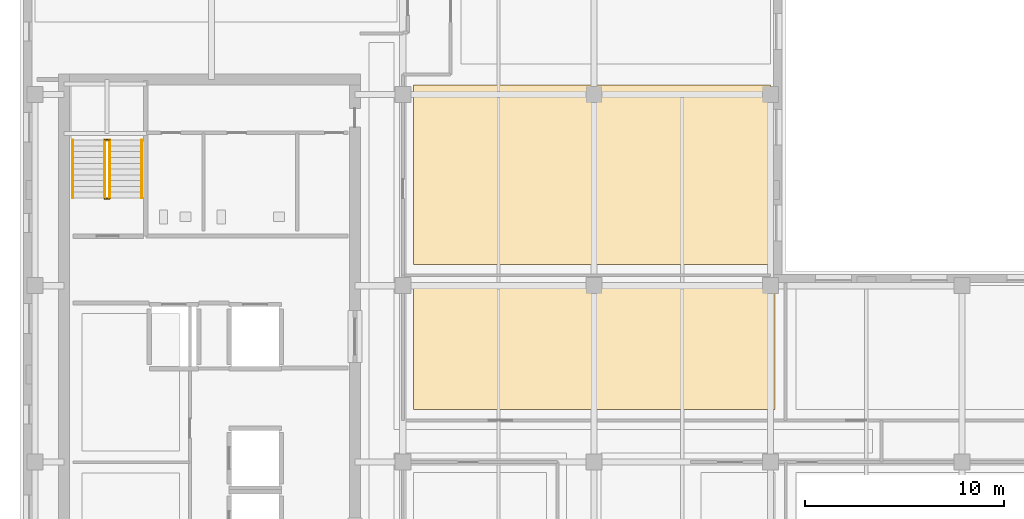
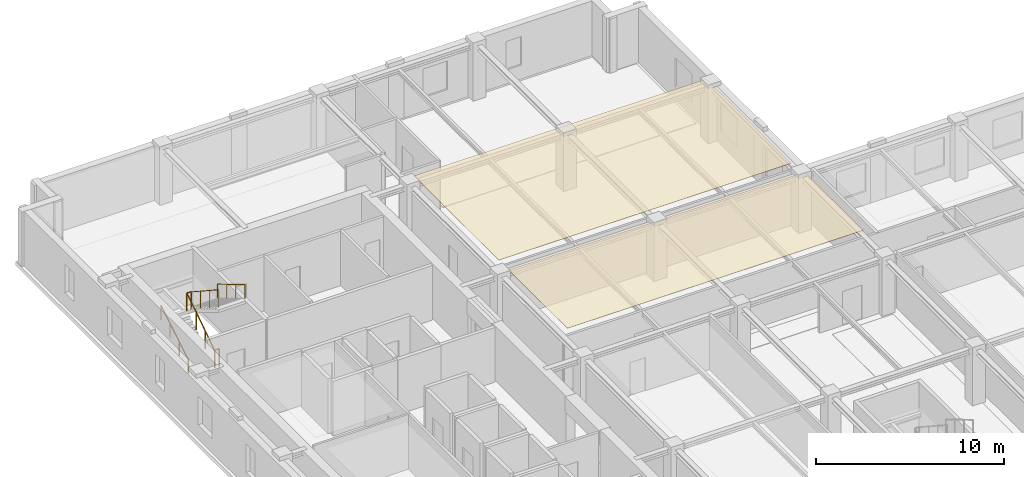
# One storey, part 10 of 12: 6 railings, 2 coverings.
"""IFC4 building model written with IfcOpenShell, lengths in metres."""

from ifc_helpers import new_model, si_unit, direction, frame, origin, origin_2d, place, context, subcontext, project, spatial, polyline, circle, outline, extrude, material, layer, layer_set, type_object, element, save


model = new_model("IFC4")

# Units and contexts
model_context = context("Model", 3, precision=1e-05, world=origin(), true_north=direction((0.0, 1.0)))
body_context = subcontext(model_context, "Body", "Model", "MODEL_VIEW")
ifc_project = project(units=[si_unit("LENGTHUNIT", "METRE"), si_unit("AREAUNIT", "SQUARE_METRE"), si_unit("VOLUMEUNIT", "CUBIC_METRE"), si_unit("PLANEANGLEUNIT", "RADIAN"), si_unit("MASSUNIT", "GRAM", prefix="KILO")], contexts=[model_context])

# Site, building, storey
site_placement = place(None, origin())
site = spatial("IfcSite", under=ifc_project, at=site_placement, CompositionType="ELEMENT")
building_placement = place(site_placement, origin())
building = spatial("IfcBuilding", under=site, at=building_placement, Name="Norrvale University Quadrangle", CompositionType="ELEMENT")
storey_placement = place(building_placement, frame((0.0, 0.0, 240.800048828125)))
storey = spatial("IfcBuildingStorey", under=building, at=storey_placement, Name="L61", CompositionType="ELEMENT", Elevation=240.800048828125)

# Coverings
ifc_material_1 = material(Name="Perforated Acoustic Mineral Ceiling")
ifc_layer = layer(ifc_material_1, 0.02490234375, Name="Perforated Acoustic Mineral Ceiling")
ifc_layer_set = layer_set([ifc_layer], Name="Perforated Acoustic Mineral Ceiling")
covering_type = type_object("IfcCoveringType", Name="Covering Acoustic Ceiling 25", PredefinedType="CEILING", material=ifc_layer_set)
covering_1_placement = place(storey_placement, frame((0.0, 0.0, 3.514892578125)))
element("IfcCovering", 1, at=covering_1_placement, inside=storey, type_object=covering_type, Name="Acoustic Ceiling RM-L61-ME01", PredefinedType="CEILING", context=body_context, shape_type="SweptSolid", body=[
    extrude(outline(polyline([(19.72998046875, 37.64990234375), (37.8701171875, 37.64990234375), (37.8701171875, 31.429931640625), (19.72998046875, 31.429931640625), (19.72998046875, 37.64990234375)])), origin(), (0.0, 0.0, 1.0), 0.025146484375),
])
covering_2_placement = place(storey_placement, frame((0.0, 0.0, 3.514892578125)))
element("IfcCovering", 2, at=covering_2_placement, inside=storey, type_object=covering_type, Name="Acoustic Ceiling RM-L61-MNE01", PredefinedType="CEILING", context=body_context, shape_type="SweptSolid", body=[
    extrude(outline(polyline([(19.72998046875, 47.719970703125), (37.64990234375, 47.719970703125), (37.64990234375, 38.7099609375), (19.72998046875, 38.7099609375), (19.72998046875, 47.719970703125)])), origin(), (0.0, 0.0, 1.0), 0.025146484375),
])

# Railings
ifc_material_2 = material(Name="Steel 350W Painted Balustrade", Category="steel")
railing_type_1 = type_object("IfcRailingType", Name="Railing Stair Guard 1100", PredefinedType="GUARDRAIL", material=ifc_material_2)
for number, where, name in (
    (3, (4.239990234375, 42.02001953125, 0.0), "Stair Floor Well Guard ST-02 L61"),
    (4, (4.239990234375, 44.97998046875, 1.89990234375), "Stair Mid-Landing Slot Guard ST-02 L61"),
):
    element("IfcRailing", number, at=place(storey_placement, frame(where)), inside=storey, type_object=railing_type_1, Name=name, PredefinedType="GUARDRAIL", context=body_context, shape_type="SweptSolid", body=[
        extrude(circle(Radius=0.02392578125, at=origin_2d()), frame((0.0, 0.0, 1.1259765625), z_axis=(1.0, 0.0, 0.0), x_axis=(0.0, 1.0, 0.0)), (0.0, 0.0, 1.0), 0.27001953125),
        extrude(circle(Radius=0.02099609375, at=origin_2d()), origin(), (0.0, 0.0, 1.0), 1.101806640625),
        extrude(circle(Radius=0.02099609375, at=origin_2d()), frame((0.27001953125, 0.0, 0.0)), (0.0, 0.0, 1.0), 1.101806640625),
    ])
railing_1_placement = place(storey_placement, frame((4.239990234375, 42.050048828125, 0.0)))
element("IfcRailing", 5, at=railing_1_placement, inside=storey, type_object=railing_type_1, Name="Stair Lower Flight Inner Guard ST-02 L61", PredefinedType="GUARDRAIL", context=body_context, shape_type="SweptSolid", body=[
    extrude(circle(Radius=0.02392578125, at=origin_2d()), frame((0.0, 0.0, 1.1259765625), z_axis=(0.0, 0.836465582154, 0.548019461216), x_axis=(-1.0, 0.0, 0.0)), (0.0, 0.0, 1.0), 3.466796875),
    extrude(circle(Radius=0.02099609375, at=origin_2d()), origin(), (0.0, 0.0, 1.0), 1.101806640625),
    extrude(circle(Radius=0.02099609375, at=origin_2d()), frame((0.0, 0.966552734375, 0.63330078125)), (0.0, 0.0, 1.0), 1.101806640625),
    extrude(circle(Radius=0.02099609375, at=origin_2d()), frame((0.0, 1.933349609375, 1.2666015625)), (0.0, 0.0, 1.0), 1.101806640625),
    extrude(circle(Radius=0.02099609375, at=origin_2d()), frame((0.0, 2.89990234375, 1.89990234375)), (0.0, 0.0, 1.0), 1.101806640625),
])
railing_2_placement = place(storey_placement, frame((4.510009765625, 44.949951171875, 1.89990234375)))
element("IfcRailing", 6, at=railing_2_placement, inside=storey, type_object=railing_type_1, Name="Stair Upper Flight Inner Guard ST-02 L61", PredefinedType="GUARDRAIL", context=body_context, shape_type="SweptSolid", body=[
    extrude(circle(Radius=0.02392578125, at=origin_2d()), frame((0.0, 0.0, 1.1259765625), z_axis=(0.0, -0.836433300813, 0.548068730445), x_axis=(1.0, 0.0, 0.0)), (0.0, 0.0, 1.0), 3.467041015625),
    extrude(circle(Radius=0.02099609375, at=origin_2d()), origin(), (0.0, 0.0, 1.0), 1.101806640625),
    extrude(circle(Radius=0.02099609375, at=origin_2d()), frame((0.0, -0.966552734375, 0.63330078125)), (0.0, 0.0, 1.0), 1.101806640625),
    extrude(circle(Radius=0.02099609375, at=origin_2d()), frame((0.0, -1.933349609375, 1.266845703125)), (0.0, 0.0, 1.0), 1.101806640625),
    extrude(circle(Radius=0.02099609375, at=origin_2d()), frame((0.0, -2.89990234375, 1.900146484375)), (0.0, 0.0, 1.0), 1.101806640625),
])
ifc_material_3 = material(Name="Stainless Steel 316L Handrail", Category="steel")
railing_type_2 = type_object("IfcRailingType", Name="Railing Stair Handrail 920", PredefinedType="HANDRAIL", material=ifc_material_3)
railing_3_placement = place(storey_placement, frame((2.639892578125, 42.050048828125, 0.172607421875)))
element("IfcRailing", 7, at=railing_3_placement, inside=storey, type_object=railing_type_2, Name="Stair Lower Flight Handrail ST-02 L61", PredefinedType="HANDRAIL", context=body_context, shape_type="SweptSolid", body=[
    extrude(circle(Radius=0.02392578125, at=origin_2d()), frame((0.0, 0.0, 0.89599609375), z_axis=(0.0, 0.859141464434, 0.511738159696), x_axis=(-1.0, 0.0, 0.0)), (0.0, 0.0, 1.0), 3.375244140625),
    extrude(circle(Radius=0.02099609375, at=origin_2d()), origin(), (0.0, 0.0, 1.0), 0.871826171875),
    extrude(circle(Radius=0.02099609375, at=origin_2d()), frame((0.0, 0.966552734375, 0.57568359375)), (0.0, 0.0, 1.0), 0.871826171875),
    extrude(circle(Radius=0.02099609375, at=origin_2d()), frame((0.0, 1.933349609375, 1.151611328125)), (0.0, 0.0, 1.0), 0.871826171875),
    extrude(circle(Radius=0.02099609375, at=origin_2d()), frame((0.0, 2.89990234375, 1.727294921875)), (0.0, 0.0, 1.0), 0.871826171875),
])
railing_4_placement = place(storey_placement, frame((6.110107421875, 44.949951171875, 2.07275390625)))
element("IfcRailing", 8, at=railing_4_placement, inside=storey, type_object=railing_type_2, Name="Stair Upper Flight Handrail ST-02 L61", PredefinedType="HANDRAIL", context=body_context, shape_type="SweptSolid", body=[
    extrude(circle(Radius=0.02392578125, at=origin_2d()), frame((0.0, 0.0, 0.89599609375), z_axis=(0.0, -0.859141464434, 0.511738159696), x_axis=(1.0, 0.0, 0.0)), (0.0, 0.0, 1.0), 3.375244140625),
    extrude(circle(Radius=0.02099609375, at=origin_2d()), origin(), (0.0, 0.0, 1.0), 0.871826171875),
    extrude(circle(Radius=0.02099609375, at=origin_2d()), frame((0.0, -0.966552734375, 0.57568359375)), (0.0, 0.0, 1.0), 0.871826171875),
    extrude(circle(Radius=0.02099609375, at=origin_2d()), frame((0.0, -1.933349609375, 1.151611328125)), (0.0, 0.0, 1.0), 0.871826171875),
    extrude(circle(Radius=0.02099609375, at=origin_2d()), frame((0.0, -2.89990234375, 1.727294921875)), (0.0, 0.0, 1.0), 0.871826171875),
])

save(model, "model.ifc")
